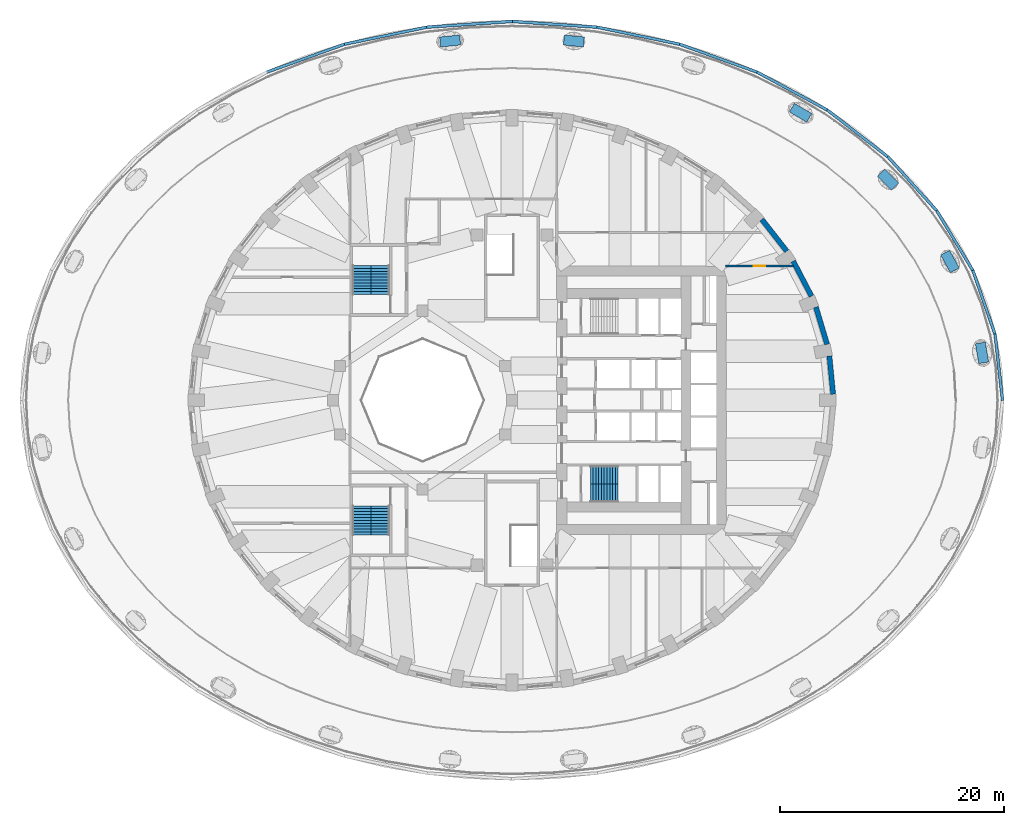
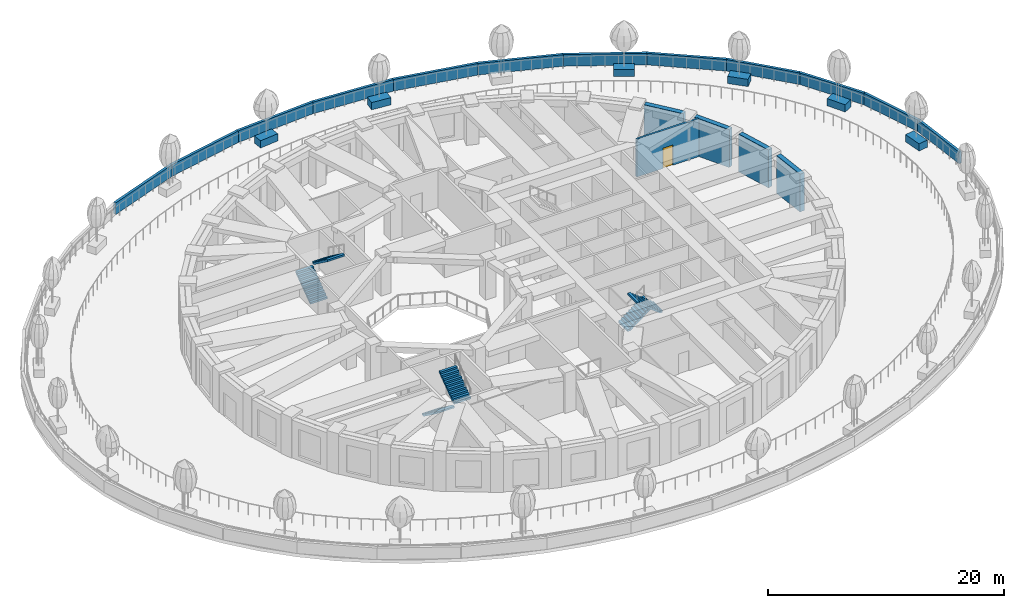
# One storey, part 8 of 17: 23 walls, 6 stair flights, 1 door, 1 opening, 3 elements without a shape of their own.
"""IFC4 building model written with IfcOpenShell, lengths in metres."""

from ifc_helpers import new_model, si_unit, direction, frame, frame_2d, origin, place, context, subcontext, project, spatial, polyline, rectangle, outline, extrude, material, layer, layer_set, constituent, constituent_set, type_object, element, fill, aggregate, save


model = new_model("IFC4")

# Units and contexts
model_context = context("Model", 3, precision=1e-05, world=origin(), true_north=direction((0.0, 1.0)))
body_context = subcontext(model_context, "Body", "Model", "MODEL_VIEW")
ifc_project = project(units=[si_unit("LENGTHUNIT", "METRE"), si_unit("AREAUNIT", "SQUARE_METRE"), si_unit("VOLUMEUNIT", "CUBIC_METRE"), si_unit("PLANEANGLEUNIT", "RADIAN"), si_unit("MASSUNIT", "GRAM", prefix="KILO")], contexts=[model_context])

# Site, building, storey
site_placement = place(None, origin())
site = spatial("IfcSite", under=ifc_project, at=site_placement, CompositionType="ELEMENT")
building_placement = place(site_placement, origin())
building = spatial("IfcBuilding", under=site, at=building_placement, Name="Taillehof Tower", CompositionType="ELEMENT")
storey_placement = place(building_placement, frame((0.0, 0.0, 17.5)))
storey = spatial("IfcBuildingStorey", under=building, at=storey_placement, Name="L03", CompositionType="ELEMENT", Elevation=17.5)

# Walls
ifc_material_1 = material(Name="Brick masonry", Category="masonry")
ifc_layer_1 = layer(ifc_material_1, 0.449951171875)
ifc_layer_set_1 = layer_set([ifc_layer_1], Name="Brick infill wall 450")
wall_type_1 = type_object("IfcWallType", Name="Brick infill wall 450", PredefinedType="SOLIDWALL", material=ifc_layer_set_1)
wall_1_placement = place(storey_placement, frame((28.721923828125, 0.530029296875, 0.0), z_axis=(0.0, 0.0, 1.0), x_axis=(-0.097389581596, 0.995246336038, 0.0)))
element("IfcWall", 1, at=wall_1_placement, inside=storey, type_object=wall_type_1, Name="Brick wall L03 bay 1", PredefinedType="SOLIDWALL", context=body_context, shape_type="SweptSolid", body=[
    extrude(rectangle(XDim=3.44189453125, YDim=0.449951171875, at=frame_2d((1.720947265625, 0.0))), origin(), (0.0, 0.0, 1.0), 3.919921875),
])
wall_2_placement = place(storey_placement, frame((28.181884765625, 4.995849609375, 0.0), z_axis=(0.0, 0.0, 1.0), x_axis=(-0.287064133733, 0.957911364963, 0.0)))
element("IfcWall", 2, at=wall_2_placement, inside=storey, type_object=wall_type_1, Name="Brick wall L03 bay 2", PredefinedType="SOLIDWALL", context=body_context, shape_type="SweptSolid", body=[
    extrude(rectangle(XDim=3.473388671875, YDim=0.449951171875, at=frame_2d((1.73681640625, 0.0))), origin(), (0.0, 0.0, 1.0), 3.919921875),
])
wall_3_placement = place(storey_placement, frame((26.78564453125, 9.30517578125, 0.0), z_axis=(0.0, 0.0, 1.0), x_axis=(-0.462492775226, 0.886623050041, 0.0)))
element("IfcWall", 3, at=wall_3_placement, inside=storey, type_object=wall_type_1, Name="Brick wall L03 bay 3", PredefinedType="SOLIDWALL", context=body_context, shape_type="SweptSolid", body=[
    extrude(rectangle(XDim=3.531982421875, YDim=0.449951171875, at=frame_2d((1.76611328125, 0.0))), origin(), (0.0, 0.0, 1.0), 3.919921875),
])
wall_4_placement = place(storey_placement, frame((24.57763671875, 13.327880859375, 0.0), z_axis=(0.0, 0.0, 1.0), x_axis=(-0.616661975264, 0.787228053529, 0.0)))
element("IfcWall", 4, at=wall_4_placement, inside=storey, type_object=wall_type_1, Name="Brick wall L03 bay 4", PredefinedType="SOLIDWALL", context=body_context, shape_type="SweptSolid", body=[
    extrude(rectangle(XDim=3.60986328125, YDim=0.449951171875, at=frame_2d((1.804931640625, 0.0))), origin(), (0.0, 0.0, 1.0), 3.919921875),
])

# Wall, opening, door
ifc_material_2 = material(Name="Calcium silicate blockwork", Category="masonry")
ifc_layer_2 = layer(ifc_material_2, 0.199951171875)
ifc_layer_set_2 = layer_set([ifc_layer_2], Name="Compartment wall EI 60 200 mm")
wall_type_2 = type_object("IfcWallType", Name="Compartment wall EI 60 200 mm", PredefinedType="PARTITIONING", material=ifc_layer_set_2)
wall_5_placement = place(storey_placement, frame((19.10009765625, 12.0, 0.0), z_axis=(0.0, 0.0, 1.0), x_axis=(1.0, 0.0, 0.0)))
wall_5 = element("IfcWall", 5, at=wall_5_placement, inside=storey, type_object=wall_type_2, Name="Wall L03-08 / L03-16", PredefinedType="PARTITIONING", context=body_context, shape_type="SweptSolid", body=[
    extrude(rectangle(XDim=6.081787109375, YDim=0.199951171875, at=frame_2d((3.041015625, 0.0))), origin(), (0.0, 0.0, 1.0), 3.919921875),
])
opening_placement = place(wall_5_placement, frame((2.541015625, 0.0, 0.0)))
opening = element("IfcOpeningElement", 6, at=opening_placement, cuts=wall_5, Name="Opening D0352", PredefinedType="OPENING", context=body_context, shape_type="SweptSolid", body=[
    extrude(rectangle(XDim=1.0, YDim=2.10009765625, at=frame_2d((0.5, 1.050048828125))), frame((0.0, 0.10986328125, 0.0), z_axis=(0.0, -1.0, 0.0), x_axis=(1.0, 0.0, 0.0)), (0.0, 0.0, 1.0), 0.219970703125),
])
ifc_material_3 = material(Name="Hollow metal door set")
door_type = type_object("IfcDoorType", Name="Single door 1000 x 2100 FD60S", OperationType="SINGLE_SWING_LEFT", PredefinedType="DOOR", material=ifc_material_3)
door_placement = place(opening_placement, origin())
door = element("IfcDoor", 7, at=door_placement, inside=storey, type_object=door_type, Name="Door D0352", OperationType="SINGLE_SWING_RIGHT", OverallHeight=2.10009765625, OverallWidth=1.0, PredefinedType="DOOR", context=body_context, shape_type="SweptSolid", body=[
    extrude(rectangle(XDim=1.0, YDim=2.10009765625, at=frame_2d((0.5, 1.050048828125))), frame((0.0, 0.02490234375, 0.0), z_axis=(0.0, -1.0, 0.0), x_axis=(1.0, 0.0, 0.0)), (0.0, 0.0, 1.0), 0.050048828125),
])
fill(opening, door)

# Walls
ifc_material_4 = material(Name="Brick masonry", Category="masonry")
ifc_constituent_1 = constituent(ifc_material_4, Name="Wall", Category="masonry")
ifc_material_5 = material(Name="Concrete C30/37 precast", Category="concrete")
ifc_constituent_2 = constituent(ifc_material_5, Name="Coping", Category="concrete")
ifc_constituent_set_1 = constituent_set(constituents=[ifc_constituent_1, ifc_constituent_2], Name="Parapet 250")
wall_type_3 = type_object("IfcWallType", Name="Parapet 250", PredefinedType="PARAPET", material=ifc_constituent_set_1)
wall_6_placement = place(storey_placement, frame((43.879150390625, -0.0439453125, 0.0), z_axis=(0.0, 0.0, 1.0), x_axis=(-0.112471586398, 0.993654941241, 0.0)))
element("IfcWall", 8, at=wall_6_placement, inside=storey, type_object=wall_type_3, Name="Parapet 1", PredefinedType="PARAPET", context=body_context, shape_type="SweptSolid", body=[
    extrude(rectangle(XDim=6.001953125, YDim=0.25, at=frame_2d((3.0009765625, 0.0))), origin(), (0.0, 0.0, 1.0), 1.199951171875),
])
wall_7_placement = place(storey_placement, frame((43.223388671875, 5.834716796875, 0.0), z_axis=(0.0, 0.0, 1.0), x_axis=(-0.327635342702, 0.94480425603, 0.0)))
element("IfcWall", 9, at=wall_7_placement, inside=storey, type_object=wall_type_3, Name="Parapet 2", PredefinedType="PARAPET", context=body_context, shape_type="SweptSolid", body=[
    extrude(rectangle(XDim=6.119140625, YDim=0.25, at=frame_2d((3.0595703125, 0.0))), origin(), (0.0, 0.0, 1.0), 1.199951171875),
])
wall_8_placement = place(storey_placement, frame((41.2548828125, 11.538330078125, 0.0), z_axis=(0.0, 0.0, 1.0), x_axis=(-0.516642556981, 0.856201184486, 0.0)))
element("IfcWall", 10, at=wall_8_placement, inside=storey, type_object=wall_type_3, Name="Parapet 3", PredefinedType="PARAPET", context=body_context, shape_type="SweptSolid", body=[
    extrude(rectangle(XDim=6.333740234375, YDim=0.25, at=frame_2d((3.1669921875, 0.0))), origin(), (0.0, 0.0, 1.0), 1.199951171875),
])
wall_9_placement = place(storey_placement, frame((38.03271484375, 16.893798828125, 0.0), z_axis=(0.0, 0.0, 1.0), x_axis=(-0.671466201745, 0.741035181293, 0.0)))
element("IfcWall", 11, at=wall_9_placement, inside=storey, type_object=wall_type_3, Name="Parapet 4", PredefinedType="PARAPET", context=body_context, shape_type="SweptSolid", body=[
    extrude(rectangle(XDim=6.611572265625, YDim=0.25, at=frame_2d((3.3056640625, 0.0))), origin(), (0.0, 0.0, 1.0), 1.199951171875),
])
wall_10_placement = place(storey_placement, frame((33.6533203125, 21.737548828125, 0.0), z_axis=(0.0, 0.0, 1.0), x_axis=(-0.791289661017, 0.611441470926, 0.0)))
element("IfcWall", 12, at=wall_10_placement, inside=storey, type_object=wall_type_3, Name="Parapet 5", PredefinedType="PARAPET", context=body_context, shape_type="SweptSolid", body=[
    extrude(rectangle(XDim=6.91357421875, YDim=0.25, at=frame_2d((3.456787109375, 0.0))), origin(), (0.0, 0.0, 1.0), 1.199951171875),
])
wall_11_placement = place(storey_placement, frame((28.24951171875, 25.92138671875, 0.0), z_axis=(0.0, 0.0, 1.0), x_axis=(-0.879522517586, 0.47585726963, 0.0)))
element("IfcWall", 13, at=wall_11_placement, inside=storey, type_object=wall_type_3, Name="Parapet 6", PredefinedType="PARAPET", context=body_context, shape_type="SweptSolid", body=[
    extrude(rectangle(XDim=7.203369140625, YDim=0.25, at=frame_2d((3.6015625, 0.0))), origin(), (0.0, 0.0, 1.0), 1.199951171875),
])
wall_12_placement = place(storey_placement, frame((21.98583984375, 29.317138671875, 0.0), z_axis=(0.0, 0.0, 1.0), x_axis=(-0.940794198993, 0.338978281224, 0.0)))
element("IfcWall", 14, at=wall_12_placement, inside=storey, type_object=wall_type_3, Name="Parapet 7", PredefinedType="PARAPET", context=body_context, shape_type="SweptSolid", body=[
    extrude(rectangle(XDim=7.448486328125, YDim=0.25, at=frame_2d((3.72412109375, 0.0))), origin(), (0.0, 0.0, 1.0), 1.199951171875),
])
wall_13_placement = place(storey_placement, frame((15.052978515625, 31.821044921875, 0.0), z_axis=(0.0, 0.0, 1.0), x_axis=(-0.979229524198, 0.202754874019, 0.0)))
element("IfcWall", 15, at=wall_13_placement, inside=storey, type_object=wall_type_3, Name="Parapet 8", PredefinedType="PARAPET", context=body_context, shape_type="SweptSolid", body=[
    extrude(rectangle(XDim=7.625732421875, YDim=0.25, at=frame_2d((3.81298828125, 0.0))), origin(), (0.0, 0.0, 1.0), 1.199951171875),
])
for number, where, z_axis, x_axis, name in (
    (16, (7.662109375, 33.356689453125, 0.0), (0.0, 0.0, 1.0), (-0.997723286571, 0.067440666021, 0.0), "Parapet 9"),
    (17, (0.038330078125, 33.877197265625, 0.0), (0.0, 0.0, 1.0), (-0.997723286571, -0.067440666021, 0.0), "Parapet 10"),
):
    element("IfcWall", number, at=place(storey_placement, frame(where, z_axis=z_axis, x_axis=x_axis)), inside=storey, type_object=wall_type_3, Name=name, PredefinedType="PARAPET", context=body_context, shape_type="SweptSolid", body=[
        extrude(rectangle(XDim=7.718017578125, YDim=0.25, at=frame_2d((3.85888671875, 0.0))), origin(), (0.0, 0.0, 1.0), 1.199951171875),
    ])
wall_14_placement = place(storey_placement, frame((-7.585693359375, 33.3671875, 0.0), z_axis=(0.0, 0.0, 1.0), x_axis=(-0.979229524198, -0.202754874019, 0.0)))
element("IfcWall", 18, at=wall_14_placement, inside=storey, type_object=wall_type_3, Name="Parapet 11", PredefinedType="PARAPET", context=body_context, shape_type="SweptSolid", body=[
    extrude(rectangle(XDim=7.625732421875, YDim=0.25, at=frame_2d((3.81298828125, 0.0))), origin(), (0.0, 0.0, 1.0), 1.199951171875),
])
wall_15_placement = place(storey_placement, frame((-14.978271484375, 31.842041015625, 0.0), z_axis=(0.0, 0.0, 1.0), x_axis=(-0.940794198993, -0.338978281224, 0.0)))
element("IfcWall", 19, at=wall_15_placement, inside=storey, type_object=wall_type_3, Name="Parapet 12", PredefinedType="PARAPET", context=body_context, shape_type="SweptSolid", body=[
    extrude(rectangle(XDim=7.448486328125, YDim=0.25, at=frame_2d((3.72412109375, 0.0))), origin(), (0.0, 0.0, 1.0), 1.199951171875),
])
ifc_material_6 = material(Name="Concrete C30/37 precast", Category="concrete")
ifc_constituent_3 = constituent(ifc_material_6, Name="Structure", Category="concrete")
ifc_material_7 = material(Name="Insulated lining")
ifc_constituent_4 = constituent(ifc_material_7, Name="Lining")
ifc_constituent_set_2 = constituent_set(constituents=[ifc_constituent_3, ifc_constituent_4], Name="Terrace planter 900x750")
wall_type_4 = type_object("IfcWallType", Name="Terrace planter 900x750", PredefinedType="USERDEFINED", material=ifc_constituent_set_2)
for number, where, z_axis, x_axis, name in (
    (20, (42.190185546875, 3.342041015625, 0.0), (0.0, 0.0, 1.0), (-0.169806995264, 0.985477338329, 0.0), "Terrace planter 1"),
    (21, (39.601318359375, 11.607666015625, 0.0), (0.0, 0.0, 1.0), (-0.476484130097, 0.879183071815, 0.0), "Terrace planter 2"),
):
    element("IfcWall", number, at=place(storey_placement, frame(where, z_axis=z_axis, x_axis=x_axis)), inside=storey, type_object=wall_type_4, Name=name, ObjectType="PLANTER", PredefinedType="USERDEFINED", context=body_context, shape_type="SweptSolid", body=[
        extrude(rectangle(XDim=1.800048828125, YDim=0.89990234375, at=frame_2d((0.89990234375, 0.0))), origin(), (0.0, 0.0, 1.0), 0.75),
    ])
wall_16_placement = place(storey_placement, frame((34.27587890625, 19.0888671875, 0.0), z_axis=(0.0, 0.0, 1.0), x_axis=(-0.708597276277, 0.705613137671, 0.0)))
element("IfcWall", 22, at=wall_16_placement, inside=storey, type_object=wall_type_4, Name="Terrace planter 3", ObjectType="PLANTER", PredefinedType="USERDEFINED", context=body_context, shape_type="SweptSolid", body=[
    extrude(rectangle(XDim=1.7998046875, YDim=0.89990234375, at=frame_2d((0.89990234375, 0.0))), origin(), (0.0, 0.0, 1.0), 0.75),
])
wall_17_placement = place(storey_placement, frame((26.587890625, 25.24951171875, 0.0), z_axis=(0.0, 0.0, 1.0), x_axis=(-0.862655115123, 0.505792598159, 0.0)))
element("IfcWall", 23, at=wall_17_placement, inside=storey, type_object=wall_type_4, Name="Terrace planter 4", ObjectType="PLANTER", PredefinedType="USERDEFINED", context=body_context, shape_type="SweptSolid", body=[
    extrude(rectangle(XDim=1.800048828125, YDim=0.89990234375, at=frame_2d((0.89990234375, 0.0))), origin(), (0.0, 0.0, 1.0), 0.75),
])
for number, where, z_axis, x_axis, name in (
    (24, (6.4296875, 32.03271484375, 0.0), (0.0, 0.0, 1.0), (-0.994976569531, 0.100108072026, 0.0), "Terrace planter 6"),
    (25, (-4.638916015625, 32.212890625, 0.0), (0.0, 0.0, 1.0), (-0.994976569531, -0.100108072026, 0.0), "Terrace planter 7"),
):
    element("IfcWall", number, at=place(storey_placement, frame(where, z_axis=z_axis, x_axis=x_axis)), inside=storey, type_object=wall_type_4, Name=name, ObjectType="PLANTER", PredefinedType="USERDEFINED", context=body_context, shape_type="SweptSolid", body=[
        extrude(rectangle(XDim=1.7998046875, YDim=0.89990234375, at=frame_2d((0.89990234375, 0.0))), origin(), (0.0, 0.0, 1.0), 0.75),
    ])

# Stair, stair flights
ifc_material_8 = material(Name="Concrete C40/50", Category="concrete")
stair_type = type_object("IfcStairType", Name="Exit stair half-turn", PredefinedType="HALF_TURN_STAIR", material=ifc_material_8)
stair_1_placement = place(storey_placement, origin())
stair_1 = element("IfcStair", 26, at=stair_1_placement, inside=storey, type_object=stair_type, Name="Exit stair S2", PredefinedType="HALF_TURN_STAIR")
ifc_material_9 = material(Name="Concrete C40/50", Category="concrete")
stair_flight_type_1 = type_object("IfcStairFlightType", Name="Stair flight 1600 riser 190.9 going 250", PredefinedType="STRAIGHT", material=ifc_material_9)
stair_flight_1_placement = place(storey_placement, frame((7.0, -6.699951171875, 0.0), z_axis=(0.0, 0.0, 1.0), x_axis=(1.0, 0.0, 0.0)))
stair_flight_1 = element("IfcStairFlight", 27, at=stair_flight_1_placement, type_object=stair_flight_type_1, Name="S2 flight 1", NumberOfRisers=11, NumberOfTreads=10, PredefinedType="STRAIGHT", RiserHeight=0.190909091, TreadLength=0.25, context=body_context, shape_type="SweptSolid", body=[
    extrude(outline(polyline([(0.0, 0.0), (0.0, 0.005615234375), (0.0, 0.01123046875), (0.0, 0.016845703125), (0.0, 0.0224609375), (0.0, 0.028076171875), (0.0, 0.03369140625), (0.0, 0.039306640625), (0.0, 0.044921875), (0.0, 0.050537109375), (0.0, 0.05615234375), (0.0, 0.061767578125), (0.0, 0.0673828125), (0.0, 0.072998046875), (0.0, 0.07861328125), (0.0, 0.084228515625), (0.0, 0.08984375), (0.0, 0.095458984375), (0.0, 0.10107421875), (0.0, 0.106689453125), (0.0, 0.1123046875), (0.0, 0.117919921875), (0.0, 0.12353515625), (0.0, 0.129150390625), (0.0, 0.134765625), (0.0, 0.140380859375), (0.0, 0.14599609375), (0.0, 0.151611328125), (0.0, 0.1572265625), (0.0, 0.162841796875), (0.0, 0.16845703125), (0.0, 0.174072265625), (0.0, 0.1796875), (0.0, 0.185302734375), (0.0, 0.19091796875), (0.25, 0.19091796875), (0.25, 0.3818359375), (0.5, 0.3818359375), (0.5, 0.57275390625), (0.75, 0.57275390625), (0.75, 0.763671875), (1.0, 0.763671875), (1.0, 0.95458984375), (1.25, 0.95458984375), (1.25, 1.1455078125), (1.5, 1.1455078125), (1.5, 1.33642578125), (1.75, 1.33642578125), (1.75, 1.52734375), (2.0, 1.52734375), (2.0, 1.71826171875), (2.25, 1.71826171875), (2.25, 1.9091796875), (2.5, 1.9091796875), (2.5, 1.903564453125), (2.5, 1.89794921875), (2.5, 1.892333984375), (2.5, 1.886962890625), (2.5, 1.88134765625), (2.5, 1.875732421875), (2.5, 1.870361328125), (2.5, 1.86474609375), (2.5, 1.859130859375), (2.5, 1.853515625), (2.5, 1.84814453125), (2.5, 1.842529296875), (2.5, 1.8369140625), (2.5, 1.83154296875), (2.5, 1.825927734375), (2.5, 1.8203125), (2.5, 1.814697265625), (2.5, 1.809326171875), (2.5, 1.8037109375), (2.5, 1.798095703125), (2.5, 1.79248046875), (2.5, 1.787109375), (2.5, 1.781494140625), (2.5, 1.77587890625), (2.5, 1.7705078125), (2.5, 1.764892578125), (2.5, 1.75927734375), (2.5, 1.753662109375), (2.5, 1.748291015625), (2.5, 1.74267578125), (2.5, 1.737060546875), (2.5, 1.731689453125), (2.5, 1.72607421875), (2.5, 1.720458984375), (0.2470703125, 0.0), (0.0, 0.0)])), frame((0.0, 0.800048828125, 0.0), z_axis=(0.0, -1.0, 0.0), x_axis=(1.0, 0.0, 0.0)), (0.0, 0.0, 1.0), 1.6),
])
stair_flight_2_placement = place(storey_placement, frame((9.5, -8.300048828125, 2.10009765625), z_axis=(0.0, 0.0, 1.0), x_axis=(-1.0, 0.0, 0.0)))
stair_flight_2 = element("IfcStairFlight", 28, at=stair_flight_2_placement, type_object=stair_flight_type_1, Name="S2 flight 2", NumberOfRisers=11, NumberOfTreads=10, PredefinedType="STRAIGHT", RiserHeight=0.190909091, TreadLength=0.25, context=body_context, shape_type="SweptSolid", body=[
    extrude(outline(polyline([(0.0, 0.0), (0.0, 0.005615234375), (0.0, 0.01123046875), (0.0, 0.016845703125), (0.0, 0.0224609375), (0.0, 0.028076171875), (0.0, 0.03369140625), (0.0, 0.039306640625), (0.0, 0.044921875), (0.0, 0.050537109375), (0.0, 0.05615234375), (0.0, 0.061767578125), (0.0, 0.0673828125), (0.0, 0.072998046875), (0.0, 0.07861328125), (0.0, 0.084228515625), (0.0, 0.08984375), (0.0, 0.095458984375), (0.0, 0.10107421875), (0.0, 0.106689453125), (0.0, 0.1123046875), (0.0, 0.117919921875), (0.0, 0.12353515625), (0.0, 0.129150390625), (0.0, 0.134765625), (0.0, 0.140380859375), (0.0, 0.14599609375), (0.0, 0.151611328125), (0.0, 0.1572265625), (0.0, 0.162841796875), (0.0, 0.16845703125), (0.0, 0.174072265625), (0.0, 0.1796875), (0.0, 0.185302734375), (0.0, 0.19091796875), (0.25, 0.19091796875), (0.25, 0.3818359375), (0.5, 0.3818359375), (0.5, 0.57275390625), (0.75, 0.57275390625), (0.75, 0.763671875), (1.0, 0.763671875), (1.0, 0.95458984375), (1.25, 0.95458984375), (1.25, 1.1455078125), (1.5, 1.1455078125), (1.5, 1.33642578125), (1.75, 1.33642578125), (1.75, 1.52734375), (2.0, 1.52734375), (2.0, 1.71826171875), (2.25, 1.71826171875), (2.25, 1.9091796875), (2.5, 1.9091796875), (2.5, 1.903564453125), (2.5, 1.89794921875), (2.5, 1.892333984375), (2.5, 1.886962890625), (2.5, 1.88134765625), (2.5, 1.875732421875), (2.5, 1.870361328125), (2.5, 1.86474609375), (2.5, 1.859130859375), (2.5, 1.853515625), (2.5, 1.84814453125), (2.5, 1.842529296875), (2.5, 1.8369140625), (2.5, 1.83154296875), (2.5, 1.825927734375), (2.5, 1.8203125), (2.5, 1.814697265625), (2.5, 1.809326171875), (2.5, 1.8037109375), (2.5, 1.798095703125), (2.5, 1.79248046875), (2.5, 1.787109375), (2.5, 1.781494140625), (2.5, 1.77587890625), (2.5, 1.7705078125), (2.5, 1.764892578125), (2.5, 1.75927734375), (2.5, 1.753662109375), (2.5, 1.748291015625), (2.5, 1.74267578125), (2.5, 1.737060546875), (2.5, 1.731689453125), (2.5, 1.72607421875), (2.5, 1.720458984375), (0.2470703125, 0.0), (0.0, 0.0)])), frame((0.0, 0.800048828125, 0.0), z_axis=(0.0, -1.0, 0.0), x_axis=(1.0, 0.0, 0.0)), (0.0, 0.0, 1.0), 1.6),
])
aggregate(stair_1, [stair_flight_1, stair_flight_2])

stair_2_placement = place(storey_placement, origin())
stair_2 = element("IfcStair", 29, at=stair_2_placement, inside=storey, type_object=stair_type, Name="Exit stair S3", PredefinedType="HALF_TURN_STAIR")
ifc_material_10 = material(Name="Concrete C40/50", Category="concrete")
stair_flight_type_2 = type_object("IfcStairFlightType", Name="Stair flight 1650 riser 190.9 going 260", PredefinedType="STRAIGHT", material=ifc_material_10)
stair_flight_3_placement = place(storey_placement, frame((-13.425048828125, 9.449951171875, 0.0), z_axis=(0.0, 0.0, 1.0), x_axis=(0.0, 1.0, 0.0)))
stair_flight_3 = element("IfcStairFlight", 30, at=stair_flight_3_placement, type_object=stair_flight_type_2, Name="S3 flight 1", NumberOfRisers=11, NumberOfTreads=10, PredefinedType="STRAIGHT", RiserHeight=0.190909091, TreadLength=0.26, context=body_context, shape_type="SweptSolid", body=[
    extrude(outline(polyline([(0.0, 0.0), (0.0, 0.005615234375), (0.0, 0.01123046875), (0.0, 0.016845703125), (0.0, 0.0224609375), (0.0, 0.028076171875), (0.0, 0.03369140625), (0.0, 0.039306640625), (0.0, 0.044921875), (0.0, 0.050537109375), (0.0, 0.05615234375), (0.0, 0.061767578125), (0.0, 0.0673828125), (0.0, 0.072998046875), (0.0, 0.07861328125), (0.0, 0.084228515625), (0.0, 0.08984375), (0.0, 0.095458984375), (0.0, 0.10107421875), (0.0, 0.106689453125), (0.0, 0.1123046875), (0.0, 0.117919921875), (0.0, 0.12353515625), (0.0, 0.129150390625), (0.0, 0.134765625), (0.0, 0.140380859375), (0.0, 0.14599609375), (0.0, 0.151611328125), (0.0, 0.1572265625), (0.0, 0.162841796875), (0.0, 0.16845703125), (0.0, 0.174072265625), (0.0, 0.1796875), (0.0, 0.185302734375), (0.0, 0.19091796875), (0.260009765625, 0.19091796875), (0.260009765625, 0.3818359375), (0.52001953125, 0.3818359375), (0.52001953125, 0.57275390625), (0.780029296875, 0.57275390625), (0.780029296875, 0.763671875), (1.0400390625, 0.763671875), (1.0400390625, 0.95458984375), (1.300048828125, 0.95458984375), (1.300048828125, 1.1455078125), (1.56005859375, 1.1455078125), (1.56005859375, 1.33642578125), (1.820068359375, 1.33642578125), (1.820068359375, 1.52734375), (2.080078125, 1.52734375), (2.080078125, 1.71826171875), (2.340087890625, 1.71826171875), (2.340087890625, 1.9091796875), (2.60009765625, 1.9091796875), (2.60009765625, 1.903564453125), (2.60009765625, 1.898193359375), (2.60009765625, 1.892578125), (2.60009765625, 1.88720703125), (2.60009765625, 1.8818359375), (2.60009765625, 1.876220703125), (2.60009765625, 1.870849609375), (2.60009765625, 1.865234375), (2.60009765625, 1.85986328125), (2.60009765625, 1.8544921875), (2.60009765625, 1.848876953125), (2.60009765625, 1.843505859375), (2.60009765625, 1.837890625), (2.60009765625, 1.83251953125), (2.60009765625, 1.8271484375), (2.60009765625, 1.821533203125), (2.60009765625, 1.816162109375), (2.60009765625, 1.810546875), (2.60009765625, 1.80517578125), (2.60009765625, 1.7998046875), (2.60009765625, 1.794189453125), (2.60009765625, 1.788818359375), (2.60009765625, 1.783203125), (2.60009765625, 1.77783203125), (2.60009765625, 1.7724609375), (2.60009765625, 1.766845703125), (2.60009765625, 1.761474609375), (2.60009765625, 1.755859375), (2.60009765625, 1.75048828125), (2.60009765625, 1.7451171875), (2.60009765625, 1.739501953125), (2.60009765625, 1.734130859375), (2.60009765625, 1.728515625), (2.60009765625, 1.72314453125), (0.253173828125, 0.0), (0.0, 0.0)])), frame((0.0, 0.824951171875, 0.0), z_axis=(0.0, -1.0, 0.0), x_axis=(1.0, 0.0, 0.0)), (0.0, 0.0, 1.0), 1.65),
])
stair_flight_4_placement = place(storey_placement, frame((-11.77490234375, 12.050048828125, 2.10009765625), z_axis=(0.0, 0.0, 1.0), x_axis=(0.0, -1.0, 0.0)))
stair_flight_4 = element("IfcStairFlight", 31, at=stair_flight_4_placement, type_object=stair_flight_type_2, Name="S3 flight 2", NumberOfRisers=11, NumberOfTreads=10, PredefinedType="STRAIGHT", RiserHeight=0.190909091, TreadLength=0.26, context=body_context, shape_type="SweptSolid", body=[
    extrude(outline(polyline([(0.0, 0.0), (0.0, 0.005615234375), (0.0, 0.01123046875), (0.0, 0.016845703125), (0.0, 0.0224609375), (0.0, 0.028076171875), (0.0, 0.03369140625), (0.0, 0.039306640625), (0.0, 0.044921875), (0.0, 0.050537109375), (0.0, 0.05615234375), (0.0, 0.061767578125), (0.0, 0.0673828125), (0.0, 0.072998046875), (0.0, 0.07861328125), (0.0, 0.084228515625), (0.0, 0.08984375), (0.0, 0.095458984375), (0.0, 0.10107421875), (0.0, 0.106689453125), (0.0, 0.1123046875), (0.0, 0.117919921875), (0.0, 0.12353515625), (0.0, 0.129150390625), (0.0, 0.134765625), (0.0, 0.140380859375), (0.0, 0.14599609375), (0.0, 0.151611328125), (0.0, 0.1572265625), (0.0, 0.162841796875), (0.0, 0.16845703125), (0.0, 0.174072265625), (0.0, 0.1796875), (0.0, 0.185302734375), (0.0, 0.19091796875), (0.260009765625, 0.19091796875), (0.260009765625, 0.3818359375), (0.52001953125, 0.3818359375), (0.52001953125, 0.57275390625), (0.780029296875, 0.57275390625), (0.780029296875, 0.763671875), (1.0400390625, 0.763671875), (1.0400390625, 0.95458984375), (1.300048828125, 0.95458984375), (1.300048828125, 1.1455078125), (1.56005859375, 1.1455078125), (1.56005859375, 1.33642578125), (1.820068359375, 1.33642578125), (1.820068359375, 1.52734375), (2.080078125, 1.52734375), (2.080078125, 1.71826171875), (2.340087890625, 1.71826171875), (2.340087890625, 1.9091796875), (2.60009765625, 1.9091796875), (2.60009765625, 1.903564453125), (2.60009765625, 1.898193359375), (2.60009765625, 1.892578125), (2.60009765625, 1.88720703125), (2.60009765625, 1.8818359375), (2.60009765625, 1.876220703125), (2.60009765625, 1.870849609375), (2.60009765625, 1.865234375), (2.60009765625, 1.85986328125), (2.60009765625, 1.8544921875), (2.60009765625, 1.848876953125), (2.60009765625, 1.843505859375), (2.60009765625, 1.837890625), (2.60009765625, 1.83251953125), (2.60009765625, 1.8271484375), (2.60009765625, 1.821533203125), (2.60009765625, 1.816162109375), (2.60009765625, 1.810546875), (2.60009765625, 1.80517578125), (2.60009765625, 1.7998046875), (2.60009765625, 1.794189453125), (2.60009765625, 1.788818359375), (2.60009765625, 1.783203125), (2.60009765625, 1.77783203125), (2.60009765625, 1.7724609375), (2.60009765625, 1.766845703125), (2.60009765625, 1.761474609375), (2.60009765625, 1.755859375), (2.60009765625, 1.75048828125), (2.60009765625, 1.7451171875), (2.60009765625, 1.739501953125), (2.60009765625, 1.734130859375), (2.60009765625, 1.728515625), (2.60009765625, 1.72314453125), (0.253173828125, 0.0), (0.0, 0.0)])), frame((0.0, 0.824951171875, 0.0), z_axis=(0.0, -1.0, 0.0), x_axis=(1.0, 0.0, 0.0)), (0.0, 0.0, 1.0), 1.65),
])
aggregate(stair_2, [stair_flight_3, stair_flight_4])

stair_3_placement = place(storey_placement, origin())
stair_3 = element("IfcStair", 32, at=stair_3_placement, inside=storey, type_object=stair_type, Name="Exit stair S4", PredefinedType="HALF_TURN_STAIR")
stair_flight_5_placement = place(storey_placement, frame((-13.425048828125, -9.449951171875, 0.0), z_axis=(0.0, 0.0, 1.0), x_axis=(0.0, -1.0, 0.0)))
stair_flight_5 = element("IfcStairFlight", 33, at=stair_flight_5_placement, type_object=stair_flight_type_2, Name="S4 flight 1", NumberOfRisers=11, NumberOfTreads=10, PredefinedType="STRAIGHT", RiserHeight=0.190909091, TreadLength=0.26, context=body_context, shape_type="SweptSolid", body=[
    extrude(outline(polyline([(0.0, 0.0), (0.0, 0.005615234375), (0.0, 0.01123046875), (0.0, 0.016845703125), (0.0, 0.0224609375), (0.0, 0.028076171875), (0.0, 0.03369140625), (0.0, 0.039306640625), (0.0, 0.044921875), (0.0, 0.050537109375), (0.0, 0.05615234375), (0.0, 0.061767578125), (0.0, 0.0673828125), (0.0, 0.072998046875), (0.0, 0.07861328125), (0.0, 0.084228515625), (0.0, 0.08984375), (0.0, 0.095458984375), (0.0, 0.10107421875), (0.0, 0.106689453125), (0.0, 0.1123046875), (0.0, 0.117919921875), (0.0, 0.12353515625), (0.0, 0.129150390625), (0.0, 0.134765625), (0.0, 0.140380859375), (0.0, 0.14599609375), (0.0, 0.151611328125), (0.0, 0.1572265625), (0.0, 0.162841796875), (0.0, 0.16845703125), (0.0, 0.174072265625), (0.0, 0.1796875), (0.0, 0.185302734375), (0.0, 0.19091796875), (0.260009765625, 0.19091796875), (0.260009765625, 0.3818359375), (0.52001953125, 0.3818359375), (0.52001953125, 0.57275390625), (0.780029296875, 0.57275390625), (0.780029296875, 0.763671875), (1.0400390625, 0.763671875), (1.0400390625, 0.95458984375), (1.300048828125, 0.95458984375), (1.300048828125, 1.1455078125), (1.56005859375, 1.1455078125), (1.56005859375, 1.33642578125), (1.820068359375, 1.33642578125), (1.820068359375, 1.52734375), (2.080078125, 1.52734375), (2.080078125, 1.71826171875), (2.340087890625, 1.71826171875), (2.340087890625, 1.9091796875), (2.60009765625, 1.9091796875), (2.60009765625, 1.903564453125), (2.60009765625, 1.898193359375), (2.60009765625, 1.892578125), (2.60009765625, 1.88720703125), (2.60009765625, 1.8818359375), (2.60009765625, 1.876220703125), (2.60009765625, 1.870849609375), (2.60009765625, 1.865234375), (2.60009765625, 1.85986328125), (2.60009765625, 1.8544921875), (2.60009765625, 1.848876953125), (2.60009765625, 1.843505859375), (2.60009765625, 1.837890625), (2.60009765625, 1.83251953125), (2.60009765625, 1.8271484375), (2.60009765625, 1.821533203125), (2.60009765625, 1.816162109375), (2.60009765625, 1.810546875), (2.60009765625, 1.80517578125), (2.60009765625, 1.7998046875), (2.60009765625, 1.794189453125), (2.60009765625, 1.788818359375), (2.60009765625, 1.783203125), (2.60009765625, 1.77783203125), (2.60009765625, 1.7724609375), (2.60009765625, 1.766845703125), (2.60009765625, 1.761474609375), (2.60009765625, 1.755859375), (2.60009765625, 1.75048828125), (2.60009765625, 1.7451171875), (2.60009765625, 1.739501953125), (2.60009765625, 1.734130859375), (2.60009765625, 1.728515625), (2.60009765625, 1.72314453125), (0.253173828125, 0.0), (0.0, 0.0)])), frame((0.0, 0.824951171875, 0.0), z_axis=(0.0, -1.0, 0.0), x_axis=(1.0, 0.0, 0.0)), (0.0, 0.0, 1.0), 1.65),
])
stair_flight_6_placement = place(storey_placement, frame((-11.77490234375, -12.050048828125, 2.10009765625), z_axis=(0.0, 0.0, 1.0), x_axis=(0.0, 1.0, 0.0)))
stair_flight_6 = element("IfcStairFlight", 34, at=stair_flight_6_placement, type_object=stair_flight_type_2, Name="S4 flight 2", NumberOfRisers=11, NumberOfTreads=10, PredefinedType="STRAIGHT", RiserHeight=0.190909091, TreadLength=0.26, context=body_context, shape_type="SweptSolid", body=[
    extrude(outline(polyline([(0.0, 0.0), (0.0, 0.005615234375), (0.0, 0.01123046875), (0.0, 0.016845703125), (0.0, 0.0224609375), (0.0, 0.028076171875), (0.0, 0.03369140625), (0.0, 0.039306640625), (0.0, 0.044921875), (0.0, 0.050537109375), (0.0, 0.05615234375), (0.0, 0.061767578125), (0.0, 0.0673828125), (0.0, 0.072998046875), (0.0, 0.07861328125), (0.0, 0.084228515625), (0.0, 0.08984375), (0.0, 0.095458984375), (0.0, 0.10107421875), (0.0, 0.106689453125), (0.0, 0.1123046875), (0.0, 0.117919921875), (0.0, 0.12353515625), (0.0, 0.129150390625), (0.0, 0.134765625), (0.0, 0.140380859375), (0.0, 0.14599609375), (0.0, 0.151611328125), (0.0, 0.1572265625), (0.0, 0.162841796875), (0.0, 0.16845703125), (0.0, 0.174072265625), (0.0, 0.1796875), (0.0, 0.185302734375), (0.0, 0.19091796875), (0.260009765625, 0.19091796875), (0.260009765625, 0.3818359375), (0.52001953125, 0.3818359375), (0.52001953125, 0.57275390625), (0.780029296875, 0.57275390625), (0.780029296875, 0.763671875), (1.0400390625, 0.763671875), (1.0400390625, 0.95458984375), (1.300048828125, 0.95458984375), (1.300048828125, 1.1455078125), (1.56005859375, 1.1455078125), (1.56005859375, 1.33642578125), (1.820068359375, 1.33642578125), (1.820068359375, 1.52734375), (2.080078125, 1.52734375), (2.080078125, 1.71826171875), (2.340087890625, 1.71826171875), (2.340087890625, 1.9091796875), (2.60009765625, 1.9091796875), (2.60009765625, 1.903564453125), (2.60009765625, 1.898193359375), (2.60009765625, 1.892578125), (2.60009765625, 1.88720703125), (2.60009765625, 1.8818359375), (2.60009765625, 1.876220703125), (2.60009765625, 1.870849609375), (2.60009765625, 1.865234375), (2.60009765625, 1.85986328125), (2.60009765625, 1.8544921875), (2.60009765625, 1.848876953125), (2.60009765625, 1.843505859375), (2.60009765625, 1.837890625), (2.60009765625, 1.83251953125), (2.60009765625, 1.8271484375), (2.60009765625, 1.821533203125), (2.60009765625, 1.816162109375), (2.60009765625, 1.810546875), (2.60009765625, 1.80517578125), (2.60009765625, 1.7998046875), (2.60009765625, 1.794189453125), (2.60009765625, 1.788818359375), (2.60009765625, 1.783203125), (2.60009765625, 1.77783203125), (2.60009765625, 1.7724609375), (2.60009765625, 1.766845703125), (2.60009765625, 1.761474609375), (2.60009765625, 1.755859375), (2.60009765625, 1.75048828125), (2.60009765625, 1.7451171875), (2.60009765625, 1.739501953125), (2.60009765625, 1.734130859375), (2.60009765625, 1.728515625), (2.60009765625, 1.72314453125), (0.253173828125, 0.0), (0.0, 0.0)])), frame((0.0, 0.824951171875, 0.0), z_axis=(0.0, -1.0, 0.0), x_axis=(1.0, 0.0, 0.0)), (0.0, 0.0, 1.0), 1.65),
])
aggregate(stair_3, [stair_flight_5, stair_flight_6])

save(model, "model.ifc")
